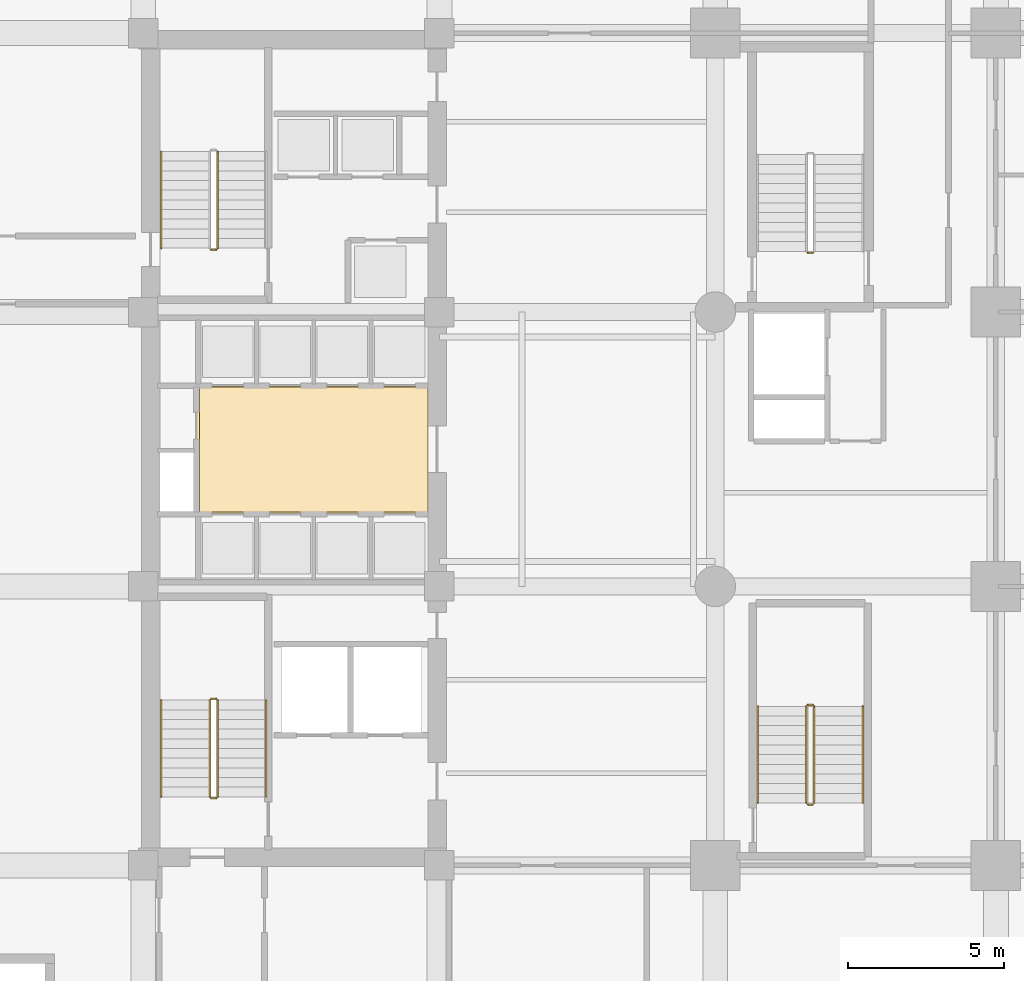
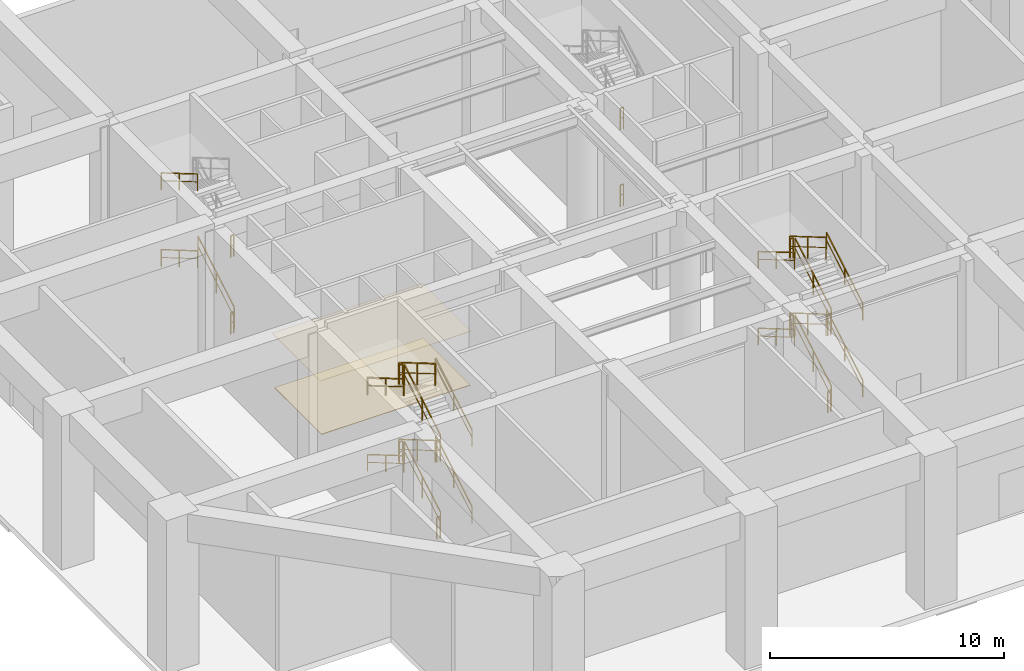
# One storey, part 8 of 10: 31 railings, 2 coverings.
"""IFC4 building model written with IfcOpenShell, lengths in metres."""

import ifcopenshell
import ifcopenshell.guid

model = None  # the IFC model being written
_history = None  # IfcOwnerHistory: only IFC2X3 demands one
_inside = {}  # id of a spatial element -> (the spatial element, [elements in it])
_under = {}  # id of a project, library or spatial element -> (it, [spatial elements below it])
_declared = {}  # id of a project -> (the project, [libraries it declares])
_typed = {}  # id of a type object -> (the type object, [elements of that type])
_made_of = {}  # id of a material, layer set ... -> (it, [elements and type objects made of it])


def new_model(schema):
    """Start an empty IFC model of exactly this schema.

    Asked for "IFC4X3", IfcOpenShell would pick the latest addendum, in which some entities
    have other attributes; the version numbers below select the first issue.
    IFC2X3 requires an IfcOwnerHistory on every rooted entity: one is made here for all.
    """
    global model, _history
    if schema == "IFC4X3":
        model = ifcopenshell.file(schema_version=(4, 3, 0, 0))
    else:
        model = ifcopenshell.file(schema=schema)
    _inside.clear()
    _under.clear()
    _declared.clear()
    _typed.clear()
    _made_of.clear()
    _history = None
    if model.schema == "IFC2X3":
        org = make("IfcOrganization", Name="unknown")
        user = make(
            "IfcPersonAndOrganization",
            ThePerson=make("IfcPerson", FamilyName="unknown"),
            TheOrganization=org,
        )
        app = make(
            "IfcApplication",
            ApplicationDeveloper=org,
            Version="unknown",
            ApplicationFullName="unknown",
            ApplicationIdentifier="unknown",
        )
        _history = make(
            "IfcOwnerHistory",
            OwningUser=user,
            OwningApplication=app,
            ChangeAction="ADDED",
            CreationDate=0,
        )
    return model


def make(cls, **values):
    """One entity of the class cls with the attributes given. An attribute that is None is left unset."""
    return model.create_entity(
        cls, **{name: value for name, value in values.items() if value is not None}
    )


def rooted(cls, **values):
    """An entity with a GlobalId (a new one), such as an element, a storey or a relation."""
    return make(cls, GlobalId=ifcopenshell.guid.new(), OwnerHistory=_history, **values)


def si_unit(unit_type, name, prefix=None):
    """IfcSIUnit, for example si_unit("LENGTHUNIT", "METRE", prefix="MILLI")."""
    return make("IfcSIUnit", UnitType=unit_type, Prefix=prefix, Name=name)


def assignment(units):
    """IfcUnitAssignment: the units of a project."""
    return None if units is None else make("IfcUnitAssignment", Units=units)


def point(xyz):
    """IfcCartesianPoint."""
    return None if xyz is None else make("IfcCartesianPoint", Coordinates=xyz)


def direction(xyz):
    """IfcDirection."""
    return None if xyz is None else make("IfcDirection", DirectionRatios=xyz)


def frame(location, z_axis=None, x_axis=None):
    """IfcAxis2Placement3D, a coordinate frame: its origin and axes. An axis left out is left unset."""
    return make(
        "IfcAxis2Placement3D",
        Location=point(location),
        Axis=direction(z_axis),
        RefDirection=direction(x_axis),
    )


def frame_2d(location, x_axis=None):
    """IfcAxis2Placement2D, a coordinate frame in the plane: its origin and x axis."""
    return make(
        "IfcAxis2Placement2D", Location=point(location), RefDirection=direction(x_axis)
    )


def origin():
    """The frame at (0, 0, 0) with its axes left unset."""
    return frame((0.0, 0.0, 0.0))


def origin_2d():
    """The frame at (0, 0) in the plane with its x axis left unset."""
    return frame_2d((0.0, 0.0))


def place(relative_to, where):
    """IfcLocalPlacement: puts the frame where relative to a parent placement (None: the world)."""
    return make(
        "IfcLocalPlacement", PlacementRelTo=relative_to, RelativePlacement=where
    )


def context(
    kind, dimensions, precision=None, world=None, true_north=None, identifier=None
):
    """IfcGeometricRepresentationContext, for example the 3D "Model" context."""
    return make(
        "IfcGeometricRepresentationContext",
        ContextIdentifier=identifier,
        ContextType=kind,
        CoordinateSpaceDimension=dimensions,
        Precision=precision,
        WorldCoordinateSystem=world,
        TrueNorth=true_north,
    )


def subcontext(parent, identifier, kind, view, scale=None):
    """IfcGeometricRepresentationSubContext, for example "Body" below "Model"."""
    return make(
        "IfcGeometricRepresentationSubContext",
        ContextIdentifier=identifier,
        ContextType=kind,
        ParentContext=parent,
        TargetScale=scale,
        TargetView=view,
    )


def project(units=None, contexts=None):
    """IfcProject with its units and contexts."""
    return rooted(
        "IfcProject",
        Name="project",
        RepresentationContexts=contexts,
        UnitsInContext=assignment(units),
    )


def spatial(cls, under=None, at=None, **own):
    """A site, building, storey or space (cls), placed at a placement, below another one or the project."""
    s = rooted(cls, ObjectPlacement=at, **own)
    if under is not None:
        _under.setdefault(under.id(), (under, []))[1].append(s)
    return s


def polyline(points):
    """IfcPolyline through the points."""
    return make("IfcPolyline", Points=[point(p) for p in points])


def profile(cls, at=None, kind="AREA", **sizes):
    """A parametric profile (cls). Its sizes go by their IFC names, for example OverallWidth=200.0."""
    return make(cls, ProfileType=kind, Position=at, **sizes)


def rectangle(**sizes):
    """IfcRectangleProfileDef."""
    return profile("IfcRectangleProfileDef", **sizes)


def outline(outer, holes=None, kind="AREA"):
    """IfcArbitraryClosedProfileDef: a profile drawn as a closed curve; with holes, ...WithVoids."""
    if holes is None:
        return make("IfcArbitraryClosedProfileDef", ProfileType=kind, OuterCurve=outer)
    return make(
        "IfcArbitraryProfileDefWithVoids",
        ProfileType=kind,
        OuterCurve=outer,
        InnerCurves=holes,
    )


def extrude(swept, where, along, depth):
    """IfcExtrudedAreaSolid: the profile swept, set in the frame where, extruded along a direction by depth."""
    return make(
        "IfcExtrudedAreaSolid",
        SweptArea=swept,
        Position=where,
        ExtrudedDirection=direction(along),
        Depth=depth,
    )


def shape(context_of_items, identifier, shape_type, items):
    """IfcShapeRepresentation: the items that make up one representation, for example the "Body"."""
    return make(
        "IfcShapeRepresentation",
        ContextOfItems=context_of_items,
        RepresentationIdentifier=identifier,
        RepresentationType=shape_type,
        Items=items,
    )


def material(Name=None, Category=None):
    """IfcMaterial."""
    return make("IfcMaterial", Name=Name, Category=Category)


def layer(
    of_material, thickness, ventilated=None, Name=None, Category=None, Priority=None
):
    """IfcMaterialLayer: one layer of a wall or slab, of a material (None: an air gap)."""
    return make(
        "IfcMaterialLayer",
        Material=of_material,
        LayerThickness=thickness,
        IsVentilated=ventilated,
        Name=Name,
        Category=Category,
        Priority=Priority,
    )


def layer_set(layers, Name=None):
    """IfcMaterialLayerSet."""
    return make("IfcMaterialLayerSet", MaterialLayers=layers, LayerSetName=Name)


def made_of(thing, what):
    """Note that an element or type object is made of a material, layer set ...; save() writes the relation."""
    if what is not None:
        _made_of.setdefault(what.id(), (what, []))[1].append(thing)
    return thing


def type_object(cls, material=None, **own):
    """A type object (cls), such as IfcWallType, which elements share."""
    return made_of(rooted(cls, **own), material)


def element(
    cls,
    number,
    at=None,
    inside=None,
    cuts=None,
    type_object=None,
    material=None,
    context=None,
    identifier="Body",
    shape_type=None,
    held_by="IfcProductDefinitionShape",
    body=None,
    shapes=None,
    **own,
):
    """One element of the class cls, such as IfcWall. Its Tag is "e" and its number.

    at: its placement. inside: the storey or other place that contains it. cuts: it is an
    opening in that element (IfcRelVoidsElement). A single representation is given by context,
    identifier, shape_type and body (its items); several are given by shapes. held_by: the class
    of the entity that holds the representations. save() writes the other relations.
    """
    e = rooted(cls, Tag="e%d" % number, ObjectPlacement=at, **own)
    if body is not None:
        shapes = [shape(context, identifier, shape_type, body)]
    if shapes is not None:
        e.Representation = make(held_by, Representations=shapes)
    if inside is not None:
        _inside.setdefault(inside.id(), (inside, []))[1].append(e)
    if cuts is not None:
        rooted(
            "IfcRelVoidsElement", RelatingBuildingElement=cuts, RelatedOpeningElement=e
        )
    if type_object is not None:
        _typed.setdefault(type_object.id(), (type_object, []))[1].append(e)
    return made_of(e, material)


def aggregate(whole, parts):
    """IfcRelAggregates: a whole, such as a stair, and the parts it consists of."""
    return rooted("IfcRelAggregates", RelatingObject=whole, RelatedObjects=parts)


def save(model, path):
    """Write the relations noted so far, then the file.

    IfcRelAggregates (storeys below a building ...), IfcRelContainedInSpatialStructure (elements
    in a storey), IfcRelDefinesByType, IfcRelAssociatesMaterial and IfcRelDeclares: one each for
    every whole, place, type object, material and project.
    """
    for whole, parts in _under.values():
        aggregate(whole, parts)
    for where, things in _inside.values():
        rooted(
            "IfcRelContainedInSpatialStructure",
            RelatedElements=things,
            RelatingStructure=where,
        )
    for kind, things in _typed.values():
        rooted("IfcRelDefinesByType", RelatedObjects=things, RelatingType=kind)
    for what, things in _made_of.values():
        rooted("IfcRelAssociatesMaterial", RelatedObjects=things, RelatingMaterial=what)
    for by, libraries in _declared.values():
        rooted("IfcRelDeclares", RelatingContext=by, RelatedDefinitions=libraries)
    model.write(path)


model = new_model("IFC4")

# Units and contexts
model_context = context("Model", 3, precision=1e-05, world=origin(), true_north=direction((0.0, 1.0)))
body_context = subcontext(model_context, "Body", "Model", "MODEL_VIEW")
ifc_project = project(units=[si_unit("LENGTHUNIT", "METRE"), si_unit("AREAUNIT", "SQUARE_METRE"), si_unit("VOLUMEUNIT", "CUBIC_METRE"), si_unit("PLANEANGLEUNIT", "RADIAN"), si_unit("MASSUNIT", "GRAM", prefix="KILO")], contexts=[model_context])

# Site, building, storey
site_placement = place(None, origin())
site = spatial("IfcSite", under=ifc_project, at=site_placement, CompositionType="ELEMENT")
building_placement = place(site_placement, origin())
building = spatial("IfcBuilding", under=site, at=building_placement, Name="Kundavana Baori Tower", CompositionType="ELEMENT")
storey_placement = place(building_placement, origin())
storey = spatial("IfcBuildingStorey", under=building, at=storey_placement, Name="L00", CompositionType="ELEMENT", Elevation=0.0)

# Coverings
ifc_material_1 = material(Name="Perforated Acoustic Mineral Fibre Ceiling Board")
ifc_layer_1 = layer(ifc_material_1, 0.02490234375, Name="COV-INT-CEIL")
ifc_layer_set_1 = layer_set([ifc_layer_1], Name="Perforated Acoustic Mineral Fibre Ceiling Board")
covering_type_1 = type_object("IfcCoveringType", Name="COV-INT-CEIL", PredefinedType="CEILING", material=ifc_layer_set_1)
covering_1_placement = place(storey_placement, frame((0.0, 0.0, 2.85009765625)))
element("IfcCovering", 1, at=covering_1_placement, inside=storey, type_object=covering_type_1, Name="L00 Core Lift Lobby Acoustic Ceiling", PredefinedType="CEILING", context=body_context, shape_type="SweptSolid", body=[
    extrude(outline(polyline([(17.159912109375, 26.52001953125), (24.580078125, 26.52001953125), (24.580078125, 30.639892578125), (17.159912109375, 30.639892578125), (17.159912109375, 26.52001953125)])), origin(), (0.0, 0.0, 1.0), 0.02490234375),
])
ifc_material_2 = material(Name="Honed Kota Stone and Terrazzo Flooring", Category="masonry")
ifc_layer_2 = layer(ifc_material_2, 0.030029296875, Name="COV-INT-FLR")
ifc_layer_set_2 = layer_set([ifc_layer_2], Name="Honed Kota Stone and Terrazzo Flooring")
covering_type_2 = type_object("IfcCoveringType", Name="COV-INT-FLR", PredefinedType="FLOORING", material=ifc_layer_set_2)
covering_2_placement = place(storey_placement, origin())
element("IfcCovering", 2, at=covering_2_placement, inside=storey, type_object=covering_type_2, Name="L00 Core Lift Lobby Kota Stone Flooring", PredefinedType="FLOORING", context=body_context, shape_type="SweptSolid", body=[
    extrude(outline(polyline([(17.25, 26.580078125), (24.580078125, 26.580078125), (24.580078125, 30.60009765625), (17.25, 30.60009765625), (17.25, 26.580078125)])), origin(), (0.0, 0.0, 1.0), 0.030029296875),
])

# Railings
ifc_material_3 = material(Name="Architectural Patinated Bronze Metalwork")
railing_type_1 = type_object("IfcRailingType", Name="RL-GRD-1150", PredefinedType="GUARDRAIL", material=ifc_material_3)
railing_1_placement = place(storey_placement, frame((17.840087890625, 17.449951171875, 0.181884765625)))
element("IfcRailing", 3, at=railing_1_placement, inside=storey, type_object=railing_type_1, Name="L00 ST1 stair guard 1", PredefinedType="GUARDRAIL", context=body_context, shape_type="SweptSolid", body=[
    extrude(rectangle(XDim=0.048095703125, YDim=0.048095703125, at=origin_2d()), frame((0.0, 0.0, 1.1259765625), z_axis=(0.0, 0.862598821094, 0.505888598258), x_axis=(-1.0, 0.0, 0.0)), (0.0, 0.0, 1.0), 3.593994140625),
    extrude(rectangle(XDim=0.03125, YDim=0.03125, at=origin_2d()), frame((0.0, 0.0, 0.597900390625), z_axis=(0.0, 0.862598821094, 0.505888598258), x_axis=(-1.0, 0.0, 0.0)), (0.0, 0.0, 1.0), 3.593994140625),
    extrude(rectangle(XDim=0.0419921875, YDim=0.0419921875, at=origin_2d()), origin(), (0.0, 0.0, 1.0), 1.101806640625),
    extrude(rectangle(XDim=0.0419921875, YDim=0.0419921875, at=origin_2d()), frame((0.0, 1.550048828125, 0.9091796875)), (0.0, 0.0, 1.0), 1.101806640625),
    extrude(rectangle(XDim=0.0419921875, YDim=0.0419921875, at=origin_2d()), frame((0.0, 3.10009765625, 1.818115234375)), (0.0, 0.0, 1.0), 1.101806640625),
])
railing_2_placement = place(storey_placement, frame((17.7900390625, 20.60009765625, 2.0)))
element("IfcRailing", 4, at=railing_2_placement, inside=storey, type_object=railing_type_1, Name="L00 ST1 stair guard 2", PredefinedType="GUARDRAIL", context=body_context, shape_type="SweptSolid", body=[
    extrude(rectangle(XDim=0.048095703125, YDim=0.048095703125, at=origin_2d()), frame((0.0, 0.0, 1.1259765625), z_axis=(-1.0, 0.0, 0.0), x_axis=(0.0, -1.0, 0.0)), (0.0, 0.0, 1.0), 0.16015625),
    extrude(rectangle(XDim=0.03125, YDim=0.03125, at=origin_2d()), frame((0.0, 0.0, 0.597900390625), z_axis=(-1.0, 0.0, 0.0), x_axis=(0.0, -1.0, 0.0)), (0.0, 0.0, 1.0), 0.16015625),
    extrude(rectangle(XDim=0.0419921875, YDim=0.0419921875, at=origin_2d()), origin(), (0.0, 0.0, 1.0), 1.101806640625),
    extrude(rectangle(XDim=0.0419921875, YDim=0.0419921875, at=origin_2d()), frame((-0.16015625, 0.0, 0.0)), (0.0, 0.0, 1.0), 1.101806640625),
])
railing_3_placement = place(storey_placement, frame((17.580078125, 20.550048828125, 2.181884765625)))
element("IfcRailing", 5, at=railing_3_placement, inside=storey, type_object=railing_type_1, Name="L00 ST1 stair guard 3", PredefinedType="GUARDRAIL", context=body_context, shape_type="SweptSolid", body=[
    extrude(rectangle(XDim=0.048095703125, YDim=0.048095703125, at=origin_2d()), frame((0.0, 0.0, 1.1259765625), z_axis=(0.0, -0.862598821094, 0.505888598258), x_axis=(1.0, 0.0, 0.0)), (0.0, 0.0, 1.0), 3.593994140625),
    extrude(rectangle(XDim=0.03125, YDim=0.03125, at=origin_2d()), frame((0.0, 0.0, 0.597900390625), z_axis=(0.0, -0.862598821094, 0.505888598258), x_axis=(1.0, 0.0, 0.0)), (0.0, 0.0, 1.0), 3.593994140625),
    extrude(rectangle(XDim=0.0419921875, YDim=0.0419921875, at=origin_2d()), origin(), (0.0, 0.0, 1.0), 1.101806640625),
    extrude(rectangle(XDim=0.0419921875, YDim=0.0419921875, at=origin_2d()), frame((0.0, -1.550048828125, 0.9091796875)), (0.0, 0.0, 1.0), 1.101806640625),
    extrude(rectangle(XDim=0.0419921875, YDim=0.0419921875, at=origin_2d()), frame((0.0, -3.10009765625, 1.818115234375)), (0.0, 0.0, 1.0), 1.101806640625),
])
railing_4_placement = place(storey_placement, frame((17.7900390625, 17.39990234375, 4.0)))
element("IfcRailing", 6, at=railing_4_placement, inside=storey, type_object=railing_type_1, Name="L00 ST1 stair guard 4", PredefinedType="GUARDRAIL", context=body_context, shape_type="SweptSolid", body=[
    extrude(rectangle(XDim=0.048095703125, YDim=0.048095703125, at=origin_2d()), frame((0.0, 0.0, 1.1259765625), z_axis=(-1.0, 0.0, 0.0), x_axis=(0.0, -1.0, 0.0)), (0.0, 0.0, 1.0), 0.16015625),
    extrude(rectangle(XDim=0.03125, YDim=0.03125, at=origin_2d()), frame((0.0, 0.0, 0.597900390625), z_axis=(-1.0, 0.0, 0.0), x_axis=(0.0, -1.0, 0.0)), (0.0, 0.0, 1.0), 0.16015625),
    extrude(rectangle(XDim=0.0419921875, YDim=0.0419921875, at=origin_2d()), origin(), (0.0, 0.0, 1.0), 1.101806640625),
    extrude(rectangle(XDim=0.0419921875, YDim=0.0419921875, at=origin_2d()), frame((-0.16015625, 0.0, 0.0)), (0.0, 0.0, 1.0), 1.101806640625),
])
railing_5_placement = place(storey_placement, frame((17.840087890625, 17.449951171875, 4.181884765625)))
element("IfcRailing", 7, at=railing_5_placement, inside=storey, type_object=railing_type_1, Name="L00 ST1 stair guard 5", PredefinedType="GUARDRAIL", context=body_context, shape_type="SweptSolid", body=[
    extrude(rectangle(XDim=0.048095703125, YDim=0.048095703125, at=origin_2d()), frame((0.0, 0.0, 1.1259765625), z_axis=(0.0, 0.862598821094, 0.505888598258), x_axis=(-1.0, 0.0, 0.0)), (0.0, 0.0, 1.0), 3.593994140625),
    extrude(rectangle(XDim=0.03125, YDim=0.03125, at=origin_2d()), frame((0.0, 0.0, 0.597900390625), z_axis=(0.0, 0.862598821094, 0.505888598258), x_axis=(-1.0, 0.0, 0.0)), (0.0, 0.0, 1.0), 3.593994140625),
    extrude(rectangle(XDim=0.0419921875, YDim=0.0419921875, at=origin_2d()), origin(), (0.0, 0.0, 1.0), 1.101806640625),
    extrude(rectangle(XDim=0.0419921875, YDim=0.0419921875, at=origin_2d()), frame((0.0, 1.550048828125, 0.9091796875)), (0.0, 0.0, 1.0), 1.101806640625),
    extrude(rectangle(XDim=0.0419921875, YDim=0.0419921875, at=origin_2d()), frame((0.0, 3.10009765625, 1.818115234375)), (0.0, 0.0, 1.0), 1.101806640625),
])
railing_6_placement = place(storey_placement, frame((17.7900390625, 20.60009765625, 6.0)))
element("IfcRailing", 8, at=railing_6_placement, inside=storey, type_object=railing_type_1, Name="L00 ST1 stair guard 6", PredefinedType="GUARDRAIL", context=body_context, shape_type="SweptSolid", body=[
    extrude(rectangle(XDim=0.048095703125, YDim=0.048095703125, at=origin_2d()), frame((0.0, 0.0, 1.1259765625), z_axis=(-1.0, 0.0, 0.0), x_axis=(0.0, -1.0, 0.0)), (0.0, 0.0, 1.0), 0.16015625),
    extrude(rectangle(XDim=0.03125, YDim=0.03125, at=origin_2d()), frame((0.0, 0.0, 0.597900390625), z_axis=(-1.0, 0.0, 0.0), x_axis=(0.0, -1.0, 0.0)), (0.0, 0.0, 1.0), 0.16015625),
    extrude(rectangle(XDim=0.0419921875, YDim=0.0419921875, at=origin_2d()), origin(), (0.0, 0.0, 1.0), 1.101806640625),
    extrude(rectangle(XDim=0.0419921875, YDim=0.0419921875, at=origin_2d()), frame((-0.16015625, 0.0, 0.0)), (0.0, 0.0, 1.0), 1.101806640625),
])
railing_7_placement = place(storey_placement, frame((17.580078125, 20.550048828125, 6.181884765625)))
element("IfcRailing", 9, at=railing_7_placement, inside=storey, type_object=railing_type_1, Name="L00 ST1 stair guard 7", PredefinedType="GUARDRAIL", context=body_context, shape_type="SweptSolid", body=[
    extrude(rectangle(XDim=0.048095703125, YDim=0.048095703125, at=origin_2d()), frame((0.0, 0.0, 1.1259765625), z_axis=(0.0, -0.862598821094, 0.505888598258), x_axis=(1.0, 0.0, 0.0)), (0.0, 0.0, 1.0), 3.593994140625),
    extrude(rectangle(XDim=0.03125, YDim=0.03125, at=origin_2d()), frame((0.0, 0.0, 0.597900390625), z_axis=(0.0, -0.862598821094, 0.505888598258), x_axis=(1.0, 0.0, 0.0)), (0.0, 0.0, 1.0), 3.593994140625),
    extrude(rectangle(XDim=0.0419921875, YDim=0.0419921875, at=origin_2d()), origin(), (0.0, 0.0, 1.0), 1.101806640625),
    extrude(rectangle(XDim=0.0419921875, YDim=0.0419921875, at=origin_2d()), frame((0.0, -1.550048828125, 0.9091796875)), (0.0, 0.0, 1.0), 1.101806640625),
    extrude(rectangle(XDim=0.0419921875, YDim=0.0419921875, at=origin_2d()), frame((0.0, -3.10009765625, 1.818115234375)), (0.0, 0.0, 1.0), 1.101806640625),
])
railing_8_placement = place(storey_placement, frame((17.7900390625, 17.39990234375, 0.0)))
element("IfcRailing", 10, at=railing_8_placement, inside=storey, type_object=railing_type_1, Name="L00 ST1 stair guard 8", PredefinedType="GUARDRAIL", context=body_context, shape_type="SweptSolid", body=[
    extrude(rectangle(XDim=0.048095703125, YDim=0.048095703125, at=origin_2d()), frame((0.0, 0.0, 1.1259765625), z_axis=(-1.0, 0.0, 0.0), x_axis=(0.0, -1.0, 0.0)), (0.0, 0.0, 1.0), 0.16015625),
    extrude(rectangle(XDim=0.03125, YDim=0.03125, at=origin_2d()), frame((0.0, 0.0, 0.597900390625), z_axis=(-1.0, 0.0, 0.0), x_axis=(0.0, -1.0, 0.0)), (0.0, 0.0, 1.0), 0.16015625),
    extrude(rectangle(XDim=0.0419921875, YDim=0.0419921875, at=origin_2d()), origin(), (0.0, 0.0, 1.0), 1.101806640625),
    extrude(rectangle(XDim=0.0419921875, YDim=0.0419921875, at=origin_2d()), frame((-0.16015625, 0.0, 0.0)), (0.0, 0.0, 1.0), 1.101806640625),
])
railing_9_placement = place(storey_placement, frame((17.840087890625, 35.050048828125, 0.181884765625)))
element("IfcRailing", 11, at=railing_9_placement, inside=storey, type_object=railing_type_1, Name="L00 ST2 stair guard 1", PredefinedType="GUARDRAIL", context=body_context, shape_type="SweptSolid", body=[
    extrude(rectangle(XDim=0.048095703125, YDim=0.048095703125, at=origin_2d()), frame((0.0, 0.0, 1.1259765625), z_axis=(0.0, 0.86258143422, 0.50591824373), x_axis=(-1.0, 0.0, 0.0)), (0.0, 0.0, 1.0), 3.59375),
    extrude(rectangle(XDim=0.03125, YDim=0.03125, at=origin_2d()), frame((0.0, 0.0, 0.597900390625), z_axis=(0.0, 0.86258143422, 0.50591824373), x_axis=(-1.0, 0.0, 0.0)), (0.0, 0.0, 1.0), 3.59375),
    extrude(rectangle(XDim=0.0419921875, YDim=0.0419921875, at=origin_2d()), origin(), (0.0, 0.0, 1.0), 1.101806640625),
    extrude(rectangle(XDim=0.0419921875, YDim=0.0419921875, at=origin_2d()), frame((0.0, 1.5498046875, 0.9091796875)), (0.0, 0.0, 1.0), 1.101806640625),
    extrude(rectangle(XDim=0.0419921875, YDim=0.0419921875, at=origin_2d()), frame((0.0, 3.099853515625, 1.818115234375)), (0.0, 0.0, 1.0), 1.101806640625),
])
for number, where, name in (
    (12, (17.7900390625, 35.0, 4.0), "L00 ST2 stair guard 4"),
    (13, (17.7900390625, 35.0, 0.0), "L00 ST2 stair guard 8"),
):
    element("IfcRailing", number, at=place(storey_placement, frame(where)), inside=storey, type_object=railing_type_1, Name=name, PredefinedType="GUARDRAIL", context=body_context, shape_type="SweptSolid", body=[
        extrude(rectangle(XDim=0.048095703125, YDim=0.048095703125, at=origin_2d()), frame((0.0, 0.0, 1.1259765625), z_axis=(-1.0, 0.0, 0.0), x_axis=(0.0, -1.0, 0.0)), (0.0, 0.0, 1.0), 0.16015625),
        extrude(rectangle(XDim=0.03125, YDim=0.03125, at=origin_2d()), frame((0.0, 0.0, 0.597900390625), z_axis=(-1.0, 0.0, 0.0), x_axis=(0.0, -1.0, 0.0)), (0.0, 0.0, 1.0), 0.16015625),
        extrude(rectangle(XDim=0.0419921875, YDim=0.0419921875, at=origin_2d()), origin(), (0.0, 0.0, 1.0), 1.101806640625),
        extrude(rectangle(XDim=0.0419921875, YDim=0.0419921875, at=origin_2d()), frame((-0.16015625, 0.0, 0.0)), (0.0, 0.0, 1.0), 1.101806640625),
    ])
for number, where, name in (
    (14, (36.929931640625, 34.89990234375, 4.0), "L00 ST3 stair guard 4"),
    (15, (36.929931640625, 34.89990234375, 0.0), "L00 ST3 stair guard 8"),
):
    element("IfcRailing", number, at=place(storey_placement, frame(where)), inside=storey, type_object=railing_type_1, Name=name, PredefinedType="GUARDRAIL", context=body_context, shape_type="SweptSolid", body=[
        extrude(rectangle(XDim=0.048095703125, YDim=0.048095703125, at=origin_2d()), frame((0.0, 0.0, 1.1259765625), z_axis=(-1.0, 0.0, 0.0), x_axis=(0.0, -1.0, 0.0)), (0.0, 0.0, 1.0), 0.159912109375),
        extrude(rectangle(XDim=0.03125, YDim=0.03125, at=origin_2d()), frame((0.0, 0.0, 0.597900390625), z_axis=(-1.0, 0.0, 0.0), x_axis=(0.0, -1.0, 0.0)), (0.0, 0.0, 1.0), 0.159912109375),
        extrude(rectangle(XDim=0.0419921875, YDim=0.0419921875, at=origin_2d()), origin(), (0.0, 0.0, 1.0), 1.101806640625),
        extrude(rectangle(XDim=0.0419921875, YDim=0.0419921875, at=origin_2d()), frame((-0.159912109375, 0.0, 0.0)), (0.0, 0.0, 1.0), 1.101806640625),
    ])
railing_10_placement = place(storey_placement, frame((36.97998046875, 17.25, 0.181884765625)))
element("IfcRailing", 16, at=railing_10_placement, inside=storey, type_object=railing_type_1, Name="L00 ST4 stair guard 1", PredefinedType="GUARDRAIL", context=body_context, shape_type="SweptSolid", body=[
    extrude(rectangle(XDim=0.048095703125, YDim=0.048095703125, at=origin_2d()), frame((0.0, 0.0, 1.1259765625), z_axis=(0.0, 0.862598821094, 0.505888598258), x_axis=(-1.0, 0.0, 0.0)), (0.0, 0.0, 1.0), 3.593994140625),
    extrude(rectangle(XDim=0.03125, YDim=0.03125, at=origin_2d()), frame((0.0, 0.0, 0.597900390625), z_axis=(0.0, 0.862598821094, 0.505888598258), x_axis=(-1.0, 0.0, 0.0)), (0.0, 0.0, 1.0), 3.593994140625),
    extrude(rectangle(XDim=0.0419921875, YDim=0.0419921875, at=origin_2d()), origin(), (0.0, 0.0, 1.0), 1.101806640625),
    extrude(rectangle(XDim=0.0419921875, YDim=0.0419921875, at=origin_2d()), frame((0.0, 1.550048828125, 0.9091796875)), (0.0, 0.0, 1.0), 1.101806640625),
    extrude(rectangle(XDim=0.0419921875, YDim=0.0419921875, at=origin_2d()), frame((0.0, 3.10009765625, 1.818115234375)), (0.0, 0.0, 1.0), 1.101806640625),
])
railing_11_placement = place(storey_placement, frame((36.929931640625, 20.39990234375, 2.0)))
element("IfcRailing", 17, at=railing_11_placement, inside=storey, type_object=railing_type_1, Name="L00 ST4 stair guard 2", PredefinedType="GUARDRAIL", context=body_context, shape_type="SweptSolid", body=[
    extrude(rectangle(XDim=0.048095703125, YDim=0.048095703125, at=origin_2d()), frame((0.0, 0.0, 1.1259765625), z_axis=(-1.0, 0.0, 0.0), x_axis=(0.0, -1.0, 0.0)), (0.0, 0.0, 1.0), 0.159912109375),
    extrude(rectangle(XDim=0.03125, YDim=0.03125, at=origin_2d()), frame((0.0, 0.0, 0.597900390625), z_axis=(-1.0, 0.0, 0.0), x_axis=(0.0, -1.0, 0.0)), (0.0, 0.0, 1.0), 0.159912109375),
    extrude(rectangle(XDim=0.0419921875, YDim=0.0419921875, at=origin_2d()), origin(), (0.0, 0.0, 1.0), 1.101806640625),
    extrude(rectangle(XDim=0.0419921875, YDim=0.0419921875, at=origin_2d()), frame((-0.159912109375, 0.0, 0.0)), (0.0, 0.0, 1.0), 1.101806640625),
])
railing_12_placement = place(storey_placement, frame((36.719970703125, 20.35009765625, 2.181884765625)))
element("IfcRailing", 18, at=railing_12_placement, inside=storey, type_object=railing_type_1, Name="L00 ST4 stair guard 3", PredefinedType="GUARDRAIL", context=body_context, shape_type="SweptSolid", body=[
    extrude(rectangle(XDim=0.048095703125, YDim=0.048095703125, at=origin_2d()), frame((0.0, 0.0, 1.1259765625), z_axis=(0.0, -0.862598821094, 0.505888598258), x_axis=(1.0, 0.0, 0.0)), (0.0, 0.0, 1.0), 3.593994140625),
    extrude(rectangle(XDim=0.03125, YDim=0.03125, at=origin_2d()), frame((0.0, 0.0, 0.597900390625), z_axis=(0.0, -0.862598821094, 0.505888598258), x_axis=(1.0, 0.0, 0.0)), (0.0, 0.0, 1.0), 3.593994140625),
    extrude(rectangle(XDim=0.0419921875, YDim=0.0419921875, at=origin_2d()), origin(), (0.0, 0.0, 1.0), 1.101806640625),
    extrude(rectangle(XDim=0.0419921875, YDim=0.0419921875, at=origin_2d()), frame((0.0, -1.550048828125, 0.9091796875)), (0.0, 0.0, 1.0), 1.101806640625),
    extrude(rectangle(XDim=0.0419921875, YDim=0.0419921875, at=origin_2d()), frame((0.0, -3.10009765625, 1.818115234375)), (0.0, 0.0, 1.0), 1.101806640625),
])
railing_13_placement = place(storey_placement, frame((36.929931640625, 17.199951171875, 4.0)))
element("IfcRailing", 19, at=railing_13_placement, inside=storey, type_object=railing_type_1, Name="L00 ST4 stair guard 4", PredefinedType="GUARDRAIL", context=body_context, shape_type="SweptSolid", body=[
    extrude(rectangle(XDim=0.048095703125, YDim=0.048095703125, at=origin_2d()), frame((0.0, 0.0, 1.1259765625), z_axis=(-1.0, 0.0, 0.0), x_axis=(0.0, -1.0, 0.0)), (0.0, 0.0, 1.0), 0.159912109375),
    extrude(rectangle(XDim=0.03125, YDim=0.03125, at=origin_2d()), frame((0.0, 0.0, 0.597900390625), z_axis=(-1.0, 0.0, 0.0), x_axis=(0.0, -1.0, 0.0)), (0.0, 0.0, 1.0), 0.159912109375),
    extrude(rectangle(XDim=0.0419921875, YDim=0.0419921875, at=origin_2d()), origin(), (0.0, 0.0, 1.0), 1.101806640625),
    extrude(rectangle(XDim=0.0419921875, YDim=0.0419921875, at=origin_2d()), frame((-0.159912109375, 0.0, 0.0)), (0.0, 0.0, 1.0), 1.101806640625),
])
railing_14_placement = place(storey_placement, frame((36.97998046875, 17.25, 4.181884765625)))
element("IfcRailing", 20, at=railing_14_placement, inside=storey, type_object=railing_type_1, Name="L00 ST4 stair guard 5", PredefinedType="GUARDRAIL", context=body_context, shape_type="SweptSolid", body=[
    extrude(rectangle(XDim=0.048095703125, YDim=0.048095703125, at=origin_2d()), frame((0.0, 0.0, 1.1259765625), z_axis=(0.0, 0.862598821094, 0.505888598258), x_axis=(-1.0, 0.0, 0.0)), (0.0, 0.0, 1.0), 3.593994140625),
    extrude(rectangle(XDim=0.03125, YDim=0.03125, at=origin_2d()), frame((0.0, 0.0, 0.597900390625), z_axis=(0.0, 0.862598821094, 0.505888598258), x_axis=(-1.0, 0.0, 0.0)), (0.0, 0.0, 1.0), 3.593994140625),
    extrude(rectangle(XDim=0.0419921875, YDim=0.0419921875, at=origin_2d()), origin(), (0.0, 0.0, 1.0), 1.101806640625),
    extrude(rectangle(XDim=0.0419921875, YDim=0.0419921875, at=origin_2d()), frame((0.0, 1.550048828125, 0.9091796875)), (0.0, 0.0, 1.0), 1.101806640625),
    extrude(rectangle(XDim=0.0419921875, YDim=0.0419921875, at=origin_2d()), frame((0.0, 3.10009765625, 1.818115234375)), (0.0, 0.0, 1.0), 1.101806640625),
])
railing_15_placement = place(storey_placement, frame((36.929931640625, 20.39990234375, 6.0)))
element("IfcRailing", 21, at=railing_15_placement, inside=storey, type_object=railing_type_1, Name="L00 ST4 stair guard 6", PredefinedType="GUARDRAIL", context=body_context, shape_type="SweptSolid", body=[
    extrude(rectangle(XDim=0.048095703125, YDim=0.048095703125, at=origin_2d()), frame((0.0, 0.0, 1.1259765625), z_axis=(-1.0, 0.0, 0.0), x_axis=(0.0, -1.0, 0.0)), (0.0, 0.0, 1.0), 0.159912109375),
    extrude(rectangle(XDim=0.03125, YDim=0.03125, at=origin_2d()), frame((0.0, 0.0, 0.597900390625), z_axis=(-1.0, 0.0, 0.0), x_axis=(0.0, -1.0, 0.0)), (0.0, 0.0, 1.0), 0.159912109375),
    extrude(rectangle(XDim=0.0419921875, YDim=0.0419921875, at=origin_2d()), origin(), (0.0, 0.0, 1.0), 1.101806640625),
    extrude(rectangle(XDim=0.0419921875, YDim=0.0419921875, at=origin_2d()), frame((-0.159912109375, 0.0, 0.0)), (0.0, 0.0, 1.0), 1.101806640625),
])
railing_16_placement = place(storey_placement, frame((36.719970703125, 20.35009765625, 6.181884765625)))
element("IfcRailing", 22, at=railing_16_placement, inside=storey, type_object=railing_type_1, Name="L00 ST4 stair guard 7", PredefinedType="GUARDRAIL", context=body_context, shape_type="SweptSolid", body=[
    extrude(rectangle(XDim=0.048095703125, YDim=0.048095703125, at=origin_2d()), frame((0.0, 0.0, 1.1259765625), z_axis=(0.0, -0.862598821094, 0.505888598258), x_axis=(1.0, 0.0, 0.0)), (0.0, 0.0, 1.0), 3.593994140625),
    extrude(rectangle(XDim=0.03125, YDim=0.03125, at=origin_2d()), frame((0.0, 0.0, 0.597900390625), z_axis=(0.0, -0.862598821094, 0.505888598258), x_axis=(1.0, 0.0, 0.0)), (0.0, 0.0, 1.0), 3.593994140625),
    extrude(rectangle(XDim=0.0419921875, YDim=0.0419921875, at=origin_2d()), origin(), (0.0, 0.0, 1.0), 1.101806640625),
    extrude(rectangle(XDim=0.0419921875, YDim=0.0419921875, at=origin_2d()), frame((0.0, -1.550048828125, 0.9091796875)), (0.0, 0.0, 1.0), 1.101806640625),
    extrude(rectangle(XDim=0.0419921875, YDim=0.0419921875, at=origin_2d()), frame((0.0, -3.10009765625, 1.818115234375)), (0.0, 0.0, 1.0), 1.101806640625),
])
railing_17_placement = place(storey_placement, frame((36.929931640625, 17.199951171875, 0.0)))
element("IfcRailing", 23, at=railing_17_placement, inside=storey, type_object=railing_type_1, Name="L00 ST4 stair guard 8", PredefinedType="GUARDRAIL", context=body_context, shape_type="SweptSolid", body=[
    extrude(rectangle(XDim=0.048095703125, YDim=0.048095703125, at=origin_2d()), frame((0.0, 0.0, 1.1259765625), z_axis=(-1.0, 0.0, 0.0), x_axis=(0.0, -1.0, 0.0)), (0.0, 0.0, 1.0), 0.159912109375),
    extrude(rectangle(XDim=0.03125, YDim=0.03125, at=origin_2d()), frame((0.0, 0.0, 0.597900390625), z_axis=(-1.0, 0.0, 0.0), x_axis=(0.0, -1.0, 0.0)), (0.0, 0.0, 1.0), 0.159912109375),
    extrude(rectangle(XDim=0.0419921875, YDim=0.0419921875, at=origin_2d()), origin(), (0.0, 0.0, 1.0), 1.101806640625),
    extrude(rectangle(XDim=0.0419921875, YDim=0.0419921875, at=origin_2d()), frame((-0.159912109375, 0.0, 0.0)), (0.0, 0.0, 1.0), 1.101806640625),
])
ifc_material_4 = material(Name="Architectural Patinated Bronze Metalwork")
railing_type_2 = type_object("IfcRailingType", Name="RL-HND-920", PredefinedType="HANDRAIL", material=ifc_material_4)
railing_18_placement = place(storey_placement, frame((19.389892578125, 17.449951171875, 0.181884765625)))
element("IfcRailing", 24, at=railing_18_placement, inside=storey, type_object=railing_type_2, Name="L00 ST1 stair handrail 1", PredefinedType="HANDRAIL", context=body_context, shape_type="SweptSolid", body=[
    extrude(rectangle(XDim=0.048095703125, YDim=0.048095703125, at=origin_2d()), frame((0.0, 0.0, 0.8759765625), z_axis=(0.0, 0.862598821094, 0.505888598258), x_axis=(-1.0, 0.0, 0.0)), (0.0, 0.0, 1.0), 3.593994140625),
    extrude(rectangle(XDim=0.03125, YDim=0.03125, at=origin_2d()), frame((0.0, 0.0, 0.468017578125), z_axis=(0.0, 0.862598821094, 0.505888598258), x_axis=(-1.0, 0.0, 0.0)), (0.0, 0.0, 1.0), 3.593994140625),
    extrude(rectangle(XDim=0.0419921875, YDim=0.0419921875, at=origin_2d()), origin(), (0.0, 0.0, 1.0), 0.851806640625),
    extrude(rectangle(XDim=0.0419921875, YDim=0.0419921875, at=origin_2d()), frame((0.0, 1.550048828125, 0.9091796875)), (0.0, 0.0, 1.0), 0.851806640625),
    extrude(rectangle(XDim=0.0419921875, YDim=0.0419921875, at=origin_2d()), frame((0.0, 3.10009765625, 1.818115234375)), (0.0, 0.0, 1.0), 0.851806640625),
])
railing_19_placement = place(storey_placement, frame((16.030029296875, 20.550048828125, 2.181884765625)))
element("IfcRailing", 25, at=railing_19_placement, inside=storey, type_object=railing_type_2, Name="L00 ST1 stair handrail 2", PredefinedType="HANDRAIL", context=body_context, shape_type="SweptSolid", body=[
    extrude(rectangle(XDim=0.048095703125, YDim=0.048095703125, at=origin_2d()), frame((0.0, 0.0, 0.8759765625), z_axis=(0.0, -0.862598821094, 0.505888598258), x_axis=(1.0, 0.0, 0.0)), (0.0, 0.0, 1.0), 3.593994140625),
    extrude(rectangle(XDim=0.03125, YDim=0.03125, at=origin_2d()), frame((0.0, 0.0, 0.468017578125), z_axis=(0.0, -0.862598821094, 0.505888598258), x_axis=(1.0, 0.0, 0.0)), (0.0, 0.0, 1.0), 3.593994140625),
    extrude(rectangle(XDim=0.0419921875, YDim=0.0419921875, at=origin_2d()), origin(), (0.0, 0.0, 1.0), 0.851806640625),
    extrude(rectangle(XDim=0.0419921875, YDim=0.0419921875, at=origin_2d()), frame((0.0, -1.550048828125, 0.9091796875)), (0.0, 0.0, 1.0), 0.851806640625),
    extrude(rectangle(XDim=0.0419921875, YDim=0.0419921875, at=origin_2d()), frame((0.0, -3.10009765625, 1.818115234375)), (0.0, 0.0, 1.0), 0.851806640625),
])
railing_20_placement = place(storey_placement, frame((19.389892578125, 17.449951171875, 4.181884765625)))
element("IfcRailing", 26, at=railing_20_placement, inside=storey, type_object=railing_type_2, Name="L00 ST1 stair handrail 3", PredefinedType="HANDRAIL", context=body_context, shape_type="SweptSolid", body=[
    extrude(rectangle(XDim=0.048095703125, YDim=0.048095703125, at=origin_2d()), frame((0.0, 0.0, 0.8759765625), z_axis=(0.0, 0.862598821094, 0.505888598258), x_axis=(-1.0, 0.0, 0.0)), (0.0, 0.0, 1.0), 3.593994140625),
    extrude(rectangle(XDim=0.03125, YDim=0.03125, at=origin_2d()), frame((0.0, 0.0, 0.468017578125), z_axis=(0.0, 0.862598821094, 0.505888598258), x_axis=(-1.0, 0.0, 0.0)), (0.0, 0.0, 1.0), 3.593994140625),
    extrude(rectangle(XDim=0.0419921875, YDim=0.0419921875, at=origin_2d()), origin(), (0.0, 0.0, 1.0), 0.851806640625),
    extrude(rectangle(XDim=0.0419921875, YDim=0.0419921875, at=origin_2d()), frame((0.0, 1.550048828125, 0.9091796875)), (0.0, 0.0, 1.0), 0.851806640625),
    extrude(rectangle(XDim=0.0419921875, YDim=0.0419921875, at=origin_2d()), frame((0.0, 3.10009765625, 1.818115234375)), (0.0, 0.0, 1.0), 0.851806640625),
])
railing_21_placement = place(storey_placement, frame((16.030029296875, 20.550048828125, 6.181884765625)))
element("IfcRailing", 27, at=railing_21_placement, inside=storey, type_object=railing_type_2, Name="L00 ST1 stair handrail 4", PredefinedType="HANDRAIL", context=body_context, shape_type="SweptSolid", body=[
    extrude(rectangle(XDim=0.048095703125, YDim=0.048095703125, at=origin_2d()), frame((0.0, 0.0, 0.8759765625), z_axis=(0.0, -0.862598821094, 0.505888598258), x_axis=(1.0, 0.0, 0.0)), (0.0, 0.0, 1.0), 3.593994140625),
    extrude(rectangle(XDim=0.03125, YDim=0.03125, at=origin_2d()), frame((0.0, 0.0, 0.468017578125), z_axis=(0.0, -0.862598821094, 0.505888598258), x_axis=(1.0, 0.0, 0.0)), (0.0, 0.0, 1.0), 3.593994140625),
    extrude(rectangle(XDim=0.0419921875, YDim=0.0419921875, at=origin_2d()), origin(), (0.0, 0.0, 1.0), 0.851806640625),
    extrude(rectangle(XDim=0.0419921875, YDim=0.0419921875, at=origin_2d()), frame((0.0, -1.550048828125, 0.9091796875)), (0.0, 0.0, 1.0), 0.851806640625),
    extrude(rectangle(XDim=0.0419921875, YDim=0.0419921875, at=origin_2d()), frame((0.0, -3.10009765625, 1.818115234375)), (0.0, 0.0, 1.0), 0.851806640625),
])
for number, where, name in (
    (28, (16.030029296875, 38.14990234375, 2.181884765625), "L00 ST2 stair handrail 2"),
    (29, (16.030029296875, 38.14990234375, 6.181884765625), "L00 ST2 stair handrail 4"),
):
    element("IfcRailing", number, at=place(storey_placement, frame(where)), inside=storey, type_object=railing_type_2, Name=name, PredefinedType="HANDRAIL", context=body_context, shape_type="SweptSolid", body=[
        extrude(rectangle(XDim=0.048095703125, YDim=0.048095703125, at=origin_2d()), frame((0.0, 0.0, 0.8759765625), z_axis=(0.0, -0.86258143422, 0.50591824373), x_axis=(1.0, 0.0, 0.0)), (0.0, 0.0, 1.0), 3.59375),
        extrude(rectangle(XDim=0.03125, YDim=0.03125, at=origin_2d()), frame((0.0, 0.0, 0.468017578125), z_axis=(0.0, -0.86258143422, 0.50591824373), x_axis=(1.0, 0.0, 0.0)), (0.0, 0.0, 1.0), 3.59375),
        extrude(rectangle(XDim=0.0419921875, YDim=0.0419921875, at=origin_2d()), origin(), (0.0, 0.0, 1.0), 0.851806640625),
        extrude(rectangle(XDim=0.0419921875, YDim=0.0419921875, at=origin_2d()), frame((0.0, -1.5498046875, 0.9091796875)), (0.0, 0.0, 1.0), 0.851806640625),
        extrude(rectangle(XDim=0.0419921875, YDim=0.0419921875, at=origin_2d()), frame((0.0, -3.099853515625, 1.818115234375)), (0.0, 0.0, 1.0), 0.851806640625),
    ])
railing_22_placement = place(storey_placement, frame((38.530029296875, 17.25, 0.181884765625)))
element("IfcRailing", 30, at=railing_22_placement, inside=storey, type_object=railing_type_2, Name="L00 ST4 stair handrail 1", PredefinedType="HANDRAIL", context=body_context, shape_type="SweptSolid", body=[
    extrude(rectangle(XDim=0.048095703125, YDim=0.048095703125, at=origin_2d()), frame((0.0, 0.0, 0.8759765625), z_axis=(0.0, 0.862598821094, 0.505888598258), x_axis=(-1.0, 0.0, 0.0)), (0.0, 0.0, 1.0), 3.593994140625),
    extrude(rectangle(XDim=0.03125, YDim=0.03125, at=origin_2d()), frame((0.0, 0.0, 0.468017578125), z_axis=(0.0, 0.862598821094, 0.505888598258), x_axis=(-1.0, 0.0, 0.0)), (0.0, 0.0, 1.0), 3.593994140625),
    extrude(rectangle(XDim=0.0419921875, YDim=0.0419921875, at=origin_2d()), origin(), (0.0, 0.0, 1.0), 0.851806640625),
    extrude(rectangle(XDim=0.0419921875, YDim=0.0419921875, at=origin_2d()), frame((0.0, 1.550048828125, 0.9091796875)), (0.0, 0.0, 1.0), 0.851806640625),
    extrude(rectangle(XDim=0.0419921875, YDim=0.0419921875, at=origin_2d()), frame((0.0, 3.10009765625, 1.818115234375)), (0.0, 0.0, 1.0), 0.851806640625),
])
railing_23_placement = place(storey_placement, frame((35.169921875, 20.35009765625, 2.181884765625)))
element("IfcRailing", 31, at=railing_23_placement, inside=storey, type_object=railing_type_2, Name="L00 ST4 stair handrail 2", PredefinedType="HANDRAIL", context=body_context, shape_type="SweptSolid", body=[
    extrude(rectangle(XDim=0.048095703125, YDim=0.048095703125, at=origin_2d()), frame((0.0, 0.0, 0.8759765625), z_axis=(0.0, -0.862598821094, 0.505888598258), x_axis=(1.0, 0.0, 0.0)), (0.0, 0.0, 1.0), 3.593994140625),
    extrude(rectangle(XDim=0.03125, YDim=0.03125, at=origin_2d()), frame((0.0, 0.0, 0.468017578125), z_axis=(0.0, -0.862598821094, 0.505888598258), x_axis=(1.0, 0.0, 0.0)), (0.0, 0.0, 1.0), 3.593994140625),
    extrude(rectangle(XDim=0.0419921875, YDim=0.0419921875, at=origin_2d()), origin(), (0.0, 0.0, 1.0), 0.851806640625),
    extrude(rectangle(XDim=0.0419921875, YDim=0.0419921875, at=origin_2d()), frame((0.0, -1.550048828125, 0.9091796875)), (0.0, 0.0, 1.0), 0.851806640625),
    extrude(rectangle(XDim=0.0419921875, YDim=0.0419921875, at=origin_2d()), frame((0.0, -3.10009765625, 1.818115234375)), (0.0, 0.0, 1.0), 0.851806640625),
])
railing_24_placement = place(storey_placement, frame((38.530029296875, 17.25, 4.181884765625)))
element("IfcRailing", 32, at=railing_24_placement, inside=storey, type_object=railing_type_2, Name="L00 ST4 stair handrail 3", PredefinedType="HANDRAIL", context=body_context, shape_type="SweptSolid", body=[
    extrude(rectangle(XDim=0.048095703125, YDim=0.048095703125, at=origin_2d()), frame((0.0, 0.0, 0.8759765625), z_axis=(0.0, 0.862598821094, 0.505888598258), x_axis=(-1.0, 0.0, 0.0)), (0.0, 0.0, 1.0), 3.593994140625),
    extrude(rectangle(XDim=0.03125, YDim=0.03125, at=origin_2d()), frame((0.0, 0.0, 0.468017578125), z_axis=(0.0, 0.862598821094, 0.505888598258), x_axis=(-1.0, 0.0, 0.0)), (0.0, 0.0, 1.0), 3.593994140625),
    extrude(rectangle(XDim=0.0419921875, YDim=0.0419921875, at=origin_2d()), origin(), (0.0, 0.0, 1.0), 0.851806640625),
    extrude(rectangle(XDim=0.0419921875, YDim=0.0419921875, at=origin_2d()), frame((0.0, 1.550048828125, 0.9091796875)), (0.0, 0.0, 1.0), 0.851806640625),
    extrude(rectangle(XDim=0.0419921875, YDim=0.0419921875, at=origin_2d()), frame((0.0, 3.10009765625, 1.818115234375)), (0.0, 0.0, 1.0), 0.851806640625),
])
railing_25_placement = place(storey_placement, frame((35.169921875, 20.35009765625, 6.181884765625)))
element("IfcRailing", 33, at=railing_25_placement, inside=storey, type_object=railing_type_2, Name="L00 ST4 stair handrail 4", PredefinedType="HANDRAIL", context=body_context, shape_type="SweptSolid", body=[
    extrude(rectangle(XDim=0.048095703125, YDim=0.048095703125, at=origin_2d()), frame((0.0, 0.0, 0.8759765625), z_axis=(0.0, -0.862598821094, 0.505888598258), x_axis=(1.0, 0.0, 0.0)), (0.0, 0.0, 1.0), 3.593994140625),
    extrude(rectangle(XDim=0.03125, YDim=0.03125, at=origin_2d()), frame((0.0, 0.0, 0.468017578125), z_axis=(0.0, -0.862598821094, 0.505888598258), x_axis=(1.0, 0.0, 0.0)), (0.0, 0.0, 1.0), 3.593994140625),
    extrude(rectangle(XDim=0.0419921875, YDim=0.0419921875, at=origin_2d()), origin(), (0.0, 0.0, 1.0), 0.851806640625),
    extrude(rectangle(XDim=0.0419921875, YDim=0.0419921875, at=origin_2d()), frame((0.0, -1.550048828125, 0.9091796875)), (0.0, 0.0, 1.0), 0.851806640625),
    extrude(rectangle(XDim=0.0419921875, YDim=0.0419921875, at=origin_2d()), frame((0.0, -3.10009765625, 1.818115234375)), (0.0, 0.0, 1.0), 0.851806640625),
])

save(model, "model.ifc")
